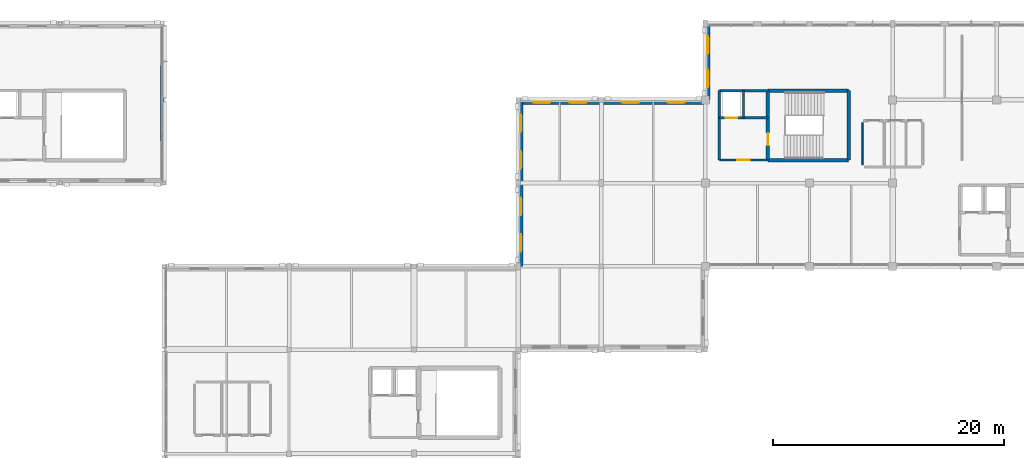
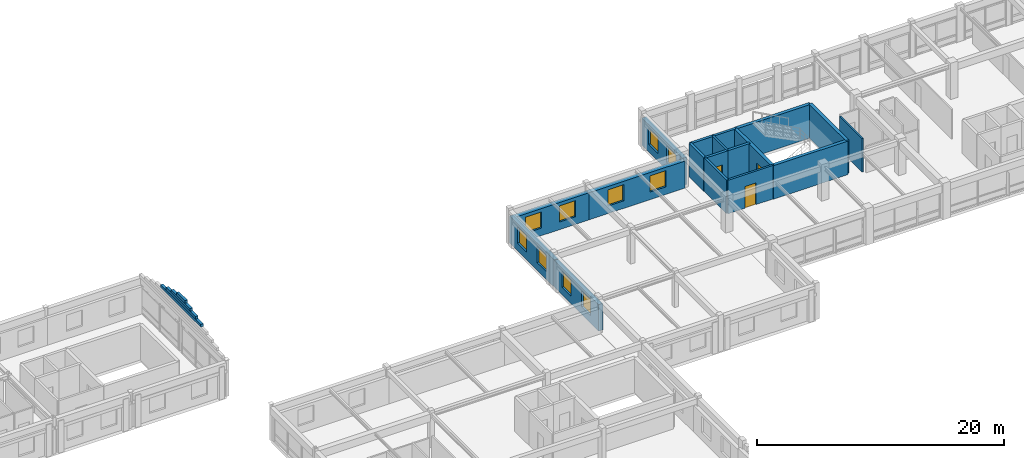
# One storey, part 43 of 52: 21 walls, 10 windows, 3 doors, 13 openings.
"""IFC4 building model written with IfcOpenShell, lengths in metres."""

from ifc_helpers import new_model, si_unit, direction, frame, frame_2d, origin, place, context, subcontext, project, spatial, rectangle, extrude, material, layer, layer_set, type_object, element, fill, save


model = new_model("IFC4")

# Units and contexts
model_context = context("Model", 3, precision=1e-05, world=origin(), true_north=direction((0.0, 1.0)))
body_context = subcontext(model_context, "Body", "Model", "MODEL_VIEW")
ifc_project = project(units=[si_unit("LENGTHUNIT", "METRE"), si_unit("AREAUNIT", "SQUARE_METRE"), si_unit("VOLUMEUNIT", "CUBIC_METRE"), si_unit("PLANEANGLEUNIT", "RADIAN"), si_unit("MASSUNIT", "GRAM", prefix="KILO")], contexts=[model_context])

# Site, building, storey
site_placement = place(None, origin())
site = spatial("IfcSite", under=ifc_project, at=site_placement, CompositionType="ELEMENT")
building_placement = place(site_placement, origin())
building = spatial("IfcBuilding", under=site, at=building_placement, Name="Clarverna Civic Hall", CompositionType="ELEMENT")
storey_placement = place(building_placement, frame((0.0, 0.0, 16.800048828125)))
storey = spatial("IfcBuildingStorey", under=building, at=storey_placement, Name="L04", CompositionType="ELEMENT", Elevation=16.800048828125)

# Wall, openings, windows
ifc_material_1 = material(Name="Montjuic Limestone Ashlar Cladding", Category="masonry")
ifc_layer_1 = layer(ifc_material_1, 0.39990234375)
ifc_layer_set_1 = layer_set([ifc_layer_1], Name="Montjuic Limestone Ashlar Cladding")
wall_type_1 = type_object("IfcWallType", Name="EW-02", PredefinedType="SOLIDWALL", material=ifc_layer_set_1)
wall_1_placement = place(storey_placement, frame((97.425048828125, 95.0, 0.0), z_axis=(0.0, 0.0, 1.0), x_axis=(0.0, 1.0, 0.0)))
wall_1 = element("IfcWall", 1, at=wall_1_placement, inside=storey, type_object=wall_type_1, Name="EW-02-218", PredefinedType="SOLIDWALL", context=body_context, shape_type="SweptSolid", body=[
    extrude(rectangle(XDim=7.199951171875, YDim=0.39990234375, at=frame_2d((3.60009765625, 0.0))), origin(), (0.0, 0.0, 1.0), 2.619873046875),
])
opening_1_placement = place(wall_1_placement, frame((1.26611328125, 0.0, 0.75)))
opening_1 = element("IfcOpeningElement", 2, at=opening_1_placement, cuts=wall_1, Name="Opening WN-14", PredefinedType="OPENING", context=body_context, shape_type="SweptSolid", body=[
    extrude(rectangle(XDim=1.5, YDim=1.60009765625, at=frame_2d((0.75, 0.800048828125))), frame((0.0, 0.2099609375, 0.0), z_axis=(0.0, -1.0, 0.0), x_axis=(1.0, 0.0, 0.0)), (0.0, 0.0, 1.0), 0.419921875),
])
opening_2_placement = place(wall_1_placement, frame((4.43408203125, 0.0, 0.75)))
opening_2 = element("IfcOpeningElement", 3, at=opening_2_placement, cuts=wall_1, Name="Opening WN-14", PredefinedType="OPENING", context=body_context, shape_type="SweptSolid", body=[
    extrude(rectangle(XDim=1.5, YDim=1.60009765625, at=frame_2d((0.75, 0.800048828125))), frame((0.0, 0.2099609375, 0.0), z_axis=(0.0, -1.0, 0.0), x_axis=(1.0, 0.0, 0.0)), (0.0, 0.0, 1.0), 0.419921875),
])
ifc_material_2 = material(Name="Solar-Control Argon Low-E Double Glazing", Category="glass")
window_type = type_object("IfcWindowType", Name="WN-14", PartitioningType="DOUBLE_PANEL_HORIZONTAL", PredefinedType="WINDOW", material=ifc_material_2)
window_1_placement = place(opening_1_placement, origin())
window_1 = element("IfcWindow", 4, at=window_1_placement, inside=storey, type_object=window_type, Name="WN-14-228", OverallHeight=1.60009765625, OverallWidth=1.5, PartitioningType="DOUBLE_PANEL_HORIZONTAL", PredefinedType="WINDOW", context=body_context, shape_type="SweptSolid", body=[
    extrude(rectangle(XDim=1.5, YDim=1.60009765625, at=frame_2d((0.75, 0.800048828125))), frame((0.0, 0.030029296875, 0.0), z_axis=(0.0, -1.0, 0.0), x_axis=(1.0, 0.0, 0.0)), (0.0, 0.0, 1.0), 0.06005859375),
])
fill(opening_1, window_1)
window_2_placement = place(opening_2_placement, origin())
window_2 = element("IfcWindow", 5, at=window_2_placement, inside=storey, type_object=window_type, Name="WN-14-229", OverallHeight=1.60009765625, OverallWidth=1.5, PartitioningType="DOUBLE_PANEL_HORIZONTAL", PredefinedType="WINDOW", context=body_context, shape_type="SweptSolid", body=[
    extrude(rectangle(XDim=1.5, YDim=1.60009765625, at=frame_2d((0.75, 0.800048828125))), frame((0.0, 0.030029296875, 0.0), z_axis=(0.0, -1.0, 0.0), x_axis=(1.0, 0.0, 0.0)), (0.0, 0.0, 1.0), 0.06005859375),
])
fill(opening_2, window_2)

wall_2_placement = place(storey_placement, frame((97.425048828125, 102.199951171875, 0.0), z_axis=(0.0, 0.0, 1.0), x_axis=(0.0, 1.0, 0.0)))
wall_2 = element("IfcWall", 6, at=wall_2_placement, inside=storey, type_object=wall_type_1, Name="EW-02-219", PredefinedType="SOLIDWALL", context=body_context, shape_type="SweptSolid", body=[
    extrude(rectangle(XDim=7.199951171875, YDim=0.39990234375, at=frame_2d((3.60009765625, 0.0))), origin(), (0.0, 0.0, 1.0), 2.679931640625),
])
opening_3_placement = place(wall_2_placement, frame((1.26611328125, 0.0, 0.75)))
opening_3 = element("IfcOpeningElement", 7, at=opening_3_placement, cuts=wall_2, Name="Opening WN-14", PredefinedType="OPENING", context=body_context, shape_type="SweptSolid", body=[
    extrude(rectangle(XDim=1.5, YDim=1.60009765625, at=frame_2d((0.75, 0.800048828125))), frame((0.0, 0.2099609375, 0.0), z_axis=(0.0, -1.0, 0.0), x_axis=(1.0, 0.0, 0.0)), (0.0, 0.0, 1.0), 0.419921875),
])
opening_4_placement = place(wall_2_placement, frame((4.43408203125, 0.0, 0.75)))
opening_4 = element("IfcOpeningElement", 8, at=opening_4_placement, cuts=wall_2, Name="Opening WN-14", PredefinedType="OPENING", context=body_context, shape_type="SweptSolid", body=[
    extrude(rectangle(XDim=1.5, YDim=1.60009765625, at=frame_2d((0.75, 0.800048828125))), frame((0.0, 0.2099609375, 0.0), z_axis=(0.0, -1.0, 0.0), x_axis=(1.0, 0.0, 0.0)), (0.0, 0.0, 1.0), 0.419921875),
])
window_3_placement = place(opening_3_placement, origin())
window_3 = element("IfcWindow", 9, at=window_3_placement, inside=storey, type_object=window_type, Name="WN-14-230", OverallHeight=1.60009765625, OverallWidth=1.5, PartitioningType="DOUBLE_PANEL_HORIZONTAL", PredefinedType="WINDOW", context=body_context, shape_type="SweptSolid", body=[
    extrude(rectangle(XDim=1.5, YDim=1.60009765625, at=frame_2d((0.75, 0.800048828125))), frame((0.0, 0.030029296875, 0.0), z_axis=(0.0, -1.0, 0.0), x_axis=(1.0, 0.0, 0.0)), (0.0, 0.0, 1.0), 0.06005859375),
])
fill(opening_3, window_3)
window_4_placement = place(opening_4_placement, origin())
window_4 = element("IfcWindow", 10, at=window_4_placement, inside=storey, type_object=window_type, Name="WN-14-231", OverallHeight=1.60009765625, OverallWidth=1.5, PartitioningType="DOUBLE_PANEL_HORIZONTAL", PredefinedType="WINDOW", context=body_context, shape_type="SweptSolid", body=[
    extrude(rectangle(XDim=1.5, YDim=1.60009765625, at=frame_2d((0.75, 0.800048828125))), frame((0.0, 0.030029296875, 0.0), z_axis=(0.0, -1.0, 0.0), x_axis=(1.0, 0.0, 0.0)), (0.0, 0.0, 1.0), 0.06005859375),
])
fill(opening_4, window_4)

wall_3_placement = place(storey_placement, frame((97.22509765625, 109.199951171875, 0.0), z_axis=(0.0, 0.0, 1.0), x_axis=(1.0, 0.0, 0.0)))
wall_3 = element("IfcWall", 11, at=wall_3_placement, inside=storey, type_object=wall_type_1, Name="EW-02-220", PredefinedType="SOLIDWALL", context=body_context, shape_type="SweptSolid", body=[
    extrude(rectangle(XDim=7.1748046875, YDim=0.39990234375, at=frame_2d((3.58740234375, 0.0))), origin(), (0.0, 0.0, 1.0), 2.679931640625),
])
opening_5_placement = place(wall_3_placement, frame((1.259033203125, 0.0, 0.75)))
opening_5 = element("IfcOpeningElement", 12, at=opening_5_placement, cuts=wall_3, Name="Opening WN-14", PredefinedType="OPENING", context=body_context, shape_type="SweptSolid", body=[
    extrude(rectangle(XDim=1.5, YDim=1.60009765625, at=frame_2d((0.75, 0.800048828125))), frame((0.0, 0.2099609375, 0.0), z_axis=(0.0, -1.0, 0.0), x_axis=(1.0, 0.0, 0.0)), (0.0, 0.0, 1.0), 0.419921875),
])
opening_6_placement = place(wall_3_placement, frame((4.416015625, 0.0, 0.75)))
opening_6 = element("IfcOpeningElement", 13, at=opening_6_placement, cuts=wall_3, Name="Opening WN-14", PredefinedType="OPENING", context=body_context, shape_type="SweptSolid", body=[
    extrude(rectangle(XDim=1.5, YDim=1.60009765625, at=frame_2d((0.75, 0.800048828125))), frame((0.0, 0.2099609375, 0.0), z_axis=(0.0, -1.0, 0.0), x_axis=(1.0, 0.0, 0.0)), (0.0, 0.0, 1.0), 0.419921875),
])
window_5_placement = place(opening_5_placement, origin())
window_5 = element("IfcWindow", 14, at=window_5_placement, inside=storey, type_object=window_type, Name="WN-14-232", OverallHeight=1.60009765625, OverallWidth=1.5, PartitioningType="DOUBLE_PANEL_HORIZONTAL", PredefinedType="WINDOW", context=body_context, shape_type="SweptSolid", body=[
    extrude(rectangle(XDim=1.5, YDim=1.60009765625, at=frame_2d((0.75, 0.800048828125))), frame((0.0, 0.030029296875, 0.0), z_axis=(0.0, -1.0, 0.0), x_axis=(1.0, 0.0, 0.0)), (0.0, 0.0, 1.0), 0.06005859375),
])
fill(opening_5, window_5)
window_6_placement = place(opening_6_placement, origin())
window_6 = element("IfcWindow", 15, at=window_6_placement, inside=storey, type_object=window_type, Name="WN-14-233", OverallHeight=1.60009765625, OverallWidth=1.5, PartitioningType="DOUBLE_PANEL_HORIZONTAL", PredefinedType="WINDOW", context=body_context, shape_type="SweptSolid", body=[
    extrude(rectangle(XDim=1.5, YDim=1.60009765625, at=frame_2d((0.75, 0.800048828125))), frame((0.0, 0.030029296875, 0.0), z_axis=(0.0, -1.0, 0.0), x_axis=(1.0, 0.0, 0.0)), (0.0, 0.0, 1.0), 0.06005859375),
])
fill(opening_6, window_6)

wall_4_placement = place(storey_placement, frame((104.39990234375, 109.199951171875, 0.0), z_axis=(0.0, 0.0, 1.0), x_axis=(1.0, 0.0, 0.0)))
wall_4 = element("IfcWall", 16, at=wall_4_placement, inside=storey, type_object=wall_type_1, Name="EW-02-221", PredefinedType="SOLIDWALL", context=body_context, shape_type="SweptSolid", body=[
    extrude(rectangle(XDim=9.0, YDim=0.39990234375, at=frame_2d((4.5, 0.0))), origin(), (0.0, 0.0, 1.0), 2.679931640625),
])
opening_7_placement = place(wall_4_placement, frame((1.77001953125, 0.0, 0.75)))
opening_7 = element("IfcOpeningElement", 17, at=opening_7_placement, cuts=wall_4, Name="Opening WN-14", PredefinedType="OPENING", context=body_context, shape_type="SweptSolid", body=[
    extrude(rectangle(XDim=1.5, YDim=1.60009765625, at=frame_2d((0.75, 0.800048828125))), frame((0.0, 0.2099609375, 0.0), z_axis=(0.0, -1.0, 0.0), x_axis=(1.0, 0.0, 0.0)), (0.0, 0.0, 1.0), 0.419921875),
])
opening_8_placement = place(wall_4_placement, frame((5.72998046875, 0.0, 0.75)))
opening_8 = element("IfcOpeningElement", 18, at=opening_8_placement, cuts=wall_4, Name="Opening WN-14", PredefinedType="OPENING", context=body_context, shape_type="SweptSolid", body=[
    extrude(rectangle(XDim=1.5, YDim=1.60009765625, at=frame_2d((0.75, 0.800048828125))), frame((0.0, 0.2099609375, 0.0), z_axis=(0.0, -1.0, 0.0), x_axis=(1.0, 0.0, 0.0)), (0.0, 0.0, 1.0), 0.419921875),
])
window_7_placement = place(opening_7_placement, origin())
window_7 = element("IfcWindow", 19, at=window_7_placement, inside=storey, type_object=window_type, Name="WN-14-234", OverallHeight=1.60009765625, OverallWidth=1.5, PartitioningType="DOUBLE_PANEL_HORIZONTAL", PredefinedType="WINDOW", context=body_context, shape_type="SweptSolid", body=[
    extrude(rectangle(XDim=1.5, YDim=1.60009765625, at=frame_2d((0.75, 0.800048828125))), frame((0.0, 0.030029296875, 0.0), z_axis=(0.0, -1.0, 0.0), x_axis=(1.0, 0.0, 0.0)), (0.0, 0.0, 1.0), 0.06005859375),
])
fill(opening_7, window_7)
window_8_placement = place(opening_8_placement, origin())
window_8 = element("IfcWindow", 20, at=window_8_placement, inside=storey, type_object=window_type, Name="WN-14-235", OverallHeight=1.60009765625, OverallWidth=1.5, PartitioningType="DOUBLE_PANEL_HORIZONTAL", PredefinedType="WINDOW", context=body_context, shape_type="SweptSolid", body=[
    extrude(rectangle(XDim=1.5, YDim=1.60009765625, at=frame_2d((0.75, 0.800048828125))), frame((0.0, 0.030029296875, 0.0), z_axis=(0.0, -1.0, 0.0), x_axis=(1.0, 0.0, 0.0)), (0.0, 0.0, 1.0), 0.06005859375),
])
fill(opening_8, window_8)

wall_5_placement = place(storey_placement, frame((113.60009765625, 109.39990234375, 0.0), z_axis=(0.0, 0.0, 1.0), x_axis=(0.0, 1.0, 0.0)))
wall_5 = element("IfcWall", 21, at=wall_5_placement, inside=storey, type_object=wall_type_1, Name="EW-02-222", PredefinedType="SOLIDWALL", context=body_context, shape_type="SweptSolid", body=[
    extrude(rectangle(XDim=6.60009765625, YDim=0.39990234375, at=frame_2d((3.300048828125, 0.0))), origin(), (0.0, 0.0, 1.0), 2.699951171875),
])
opening_9_placement = place(wall_5_placement, frame((1.097900390625, 0.0, 0.75)))
opening_9 = element("IfcOpeningElement", 22, at=opening_9_placement, cuts=wall_5, Name="Opening WN-14", PredefinedType="OPENING", context=body_context, shape_type="SweptSolid", body=[
    extrude(rectangle(XDim=1.5, YDim=1.60009765625, at=frame_2d((0.75, 0.800048828125))), frame((0.0, 0.2099609375, 0.0), z_axis=(0.0, -1.0, 0.0), x_axis=(1.0, 0.0, 0.0)), (0.0, 0.0, 1.0), 0.419921875),
])
opening_10_placement = place(wall_5_placement, frame((4.001953125, 0.0, 0.75)))
opening_10 = element("IfcOpeningElement", 23, at=opening_10_placement, cuts=wall_5, Name="Opening WN-14", PredefinedType="OPENING", context=body_context, shape_type="SweptSolid", body=[
    extrude(rectangle(XDim=1.5, YDim=1.60009765625, at=frame_2d((0.75, 0.800048828125))), frame((0.0, 0.2099609375, 0.0), z_axis=(0.0, -1.0, 0.0), x_axis=(1.0, 0.0, 0.0)), (0.0, 0.0, 1.0), 0.419921875),
])
window_9_placement = place(opening_9_placement, origin())
window_9 = element("IfcWindow", 24, at=window_9_placement, inside=storey, type_object=window_type, Name="WN-14-236", OverallHeight=1.60009765625, OverallWidth=1.5, PartitioningType="DOUBLE_PANEL_HORIZONTAL", PredefinedType="WINDOW", context=body_context, shape_type="SweptSolid", body=[
    extrude(rectangle(XDim=1.5, YDim=1.60009765625, at=frame_2d((0.75, 0.800048828125))), frame((0.0, 0.030029296875, 0.0), z_axis=(0.0, -1.0, 0.0), x_axis=(1.0, 0.0, 0.0)), (0.0, 0.0, 1.0), 0.06005859375),
])
fill(opening_9, window_9)
window_10_placement = place(opening_10_placement, origin())
window_10 = element("IfcWindow", 25, at=window_10_placement, inside=storey, type_object=window_type, Name="WN-14-237", OverallHeight=1.60009765625, OverallWidth=1.5, PartitioningType="DOUBLE_PANEL_HORIZONTAL", PredefinedType="WINDOW", context=body_context, shape_type="SweptSolid", body=[
    extrude(rectangle(XDim=1.5, YDim=1.60009765625, at=frame_2d((0.75, 0.800048828125))), frame((0.0, 0.030029296875, 0.0), z_axis=(0.0, -1.0, 0.0), x_axis=(1.0, 0.0, 0.0)), (0.0, 0.0, 1.0), 0.06005859375),
])
fill(opening_10, window_10)

# Walls
ifc_material_3 = material(Name="Precast concrete C40/50", Category="concrete")
ifc_layer_2 = layer(ifc_material_3, 0.239990234375)
ifc_layer_set_2 = layer_set([ifc_layer_2], Name="Precast concrete C40/50")
wall_type_2 = type_object("IfcWallType", Name="PR-01", PredefinedType="PARAPET", material=ifc_layer_set_2)
wall_6_placement = place(storey_placement, frame((66.39990234375, 105.84619140625, 4.65576171875), z_axis=(0.0, 0.0, 1.0), x_axis=(0.0, 1.0, 0.0)))
element("IfcWall", 26, at=wall_6_placement, inside=storey, type_object=wall_type_2, Name="PR-01-115", PredefinedType="PARAPET", context=body_context, shape_type="SweptSolid", body=[
    extrude(rectangle(XDim=6.507568359375, YDim=0.239990234375, at=frame_2d((3.25390625, 0.0))), origin(), (0.0, 0.0, 1.0), 0.263916015625),
])
wall_7_placement = place(storey_placement, frame((66.39990234375, 106.702392578125, 4.919677734375), z_axis=(0.0, 0.0, 1.0), x_axis=(0.0, 1.0, 0.0)))
element("IfcWall", 27, at=wall_7_placement, inside=storey, type_object=wall_type_2, Name="PR-01-116", PredefinedType="PARAPET", context=body_context, shape_type="SweptSolid", body=[
    extrude(rectangle(XDim=4.795166015625, YDim=0.239990234375, at=frame_2d((2.3974609375, 0.0))), origin(), (0.0, 0.0, 1.0), 0.263916015625),
])
wall_8_placement = place(storey_placement, frame((66.39990234375, 107.55859375, 5.18359375), z_axis=(0.0, 0.0, 1.0), x_axis=(0.0, 1.0, 0.0)))
element("IfcWall", 28, at=wall_8_placement, inside=storey, type_object=wall_type_2, Name="PR-01-117", PredefinedType="PARAPET", context=body_context, shape_type="SweptSolid", body=[
    extrude(rectangle(XDim=3.082763671875, YDim=0.239990234375, at=frame_2d((1.54150390625, 0.0))), origin(), (0.0, 0.0, 1.0), 0.263916015625),
])
wall_9_placement = place(storey_placement, frame((66.39990234375, 108.4150390625, 5.447509765625), z_axis=(0.0, 0.0, 1.0), x_axis=(0.0, 1.0, 0.0)))
element("IfcWall", 29, at=wall_9_placement, inside=storey, type_object=wall_type_2, Name="PR-01-118", PredefinedType="PARAPET", context=body_context, shape_type="SweptSolid", body=[
    extrude(rectangle(XDim=1.369873046875, YDim=0.239990234375, at=frame_2d((0.68505859375, 0.0))), origin(), (0.0, 0.0, 1.0), 0.263916015625),
])
ifc_material_4 = material(Name="Ceramic Brick and Plaster Wet-Room Partition", Category="masonry")
ifc_layer_3 = layer(ifc_material_4, 0.139892578125)
ifc_layer_set_3 = layer_set([ifc_layer_3], Name="Ceramic Brick and Plaster Wet-Room Partition")
wall_type_3 = type_object("IfcWallType", Name="PW-02", PredefinedType="PARTITIONING", material=ifc_layer_set_3)
wall_10_placement = place(storey_placement, frame((127.0, 103.780029296875, 0.0), z_axis=(0.0, 0.0, 1.0), x_axis=(0.0, 1.0, 0.0)))
element("IfcWall", 30, at=wall_10_placement, inside=storey, type_object=wall_type_3, Name="PW-02-042", PredefinedType="PARTITIONING", context=body_context, shape_type="SweptSolid", body=[
    extrude(rectangle(XDim=3.639892578125, YDim=0.139892578125, at=frame_2d((1.81982421875, 0.0))), origin(), (0.0, 0.0, 1.0), 3.320068359375),
])
ifc_material_5 = material(Name="Acoustic Gypsum Plasterboard on Twin Frame", Category="gypsum")
ifc_layer_4 = layer(ifc_material_5, 0.18994140625)
ifc_layer_set_4 = layer_set([ifc_layer_4], Name="Acoustic Gypsum Plasterboard on Twin Frame")
wall_type_4 = type_object("IfcWallType", Name="PW-06", PredefinedType="PARTITIONING", material=ifc_layer_set_4)
wall_11_placement = place(storey_placement, frame((114.60009765625, 104.199951171875, 0.0), z_axis=(0.0, 0.0, 1.0), x_axis=(0.0, 1.0, 0.0)))
element("IfcWall", 31, at=wall_11_placement, inside=storey, type_object=wall_type_4, Name="PW-06-099", PredefinedType="PARTITIONING", context=body_context, shape_type="SweptSolid", body=[
    extrude(rectangle(XDim=3.650146484375, YDim=0.18994140625, at=frame_2d((1.8251953125, 0.0))), origin(), (0.0, 0.0, 1.0), 3.320068359375),
])

# Wall, opening, door
wall_12_placement = place(storey_placement, frame((114.60009765625, 104.199951171875, 0.0), z_axis=(0.0, 0.0, 1.0), x_axis=(1.0, 0.0, 0.0)))
wall_12 = element("IfcWall", 32, at=wall_12_placement, inside=storey, type_object=wall_type_4, Name="PW-06-100", PredefinedType="PARTITIONING", context=body_context, shape_type="SweptSolid", body=[
    extrude(rectangle(XDim=4.199951171875, YDim=0.18994140625, at=frame_2d((2.10009765625, 0.0))), origin(), (0.0, 0.0, 1.0), 3.320068359375),
])
opening_11_placement = place(wall_12_placement, frame((1.574951171875, 0.0, 0.0)))
opening_11 = element("IfcOpeningElement", 33, at=opening_11_placement, cuts=wall_12, Name="Opening FD-02", PredefinedType="OPENING", context=body_context, shape_type="SweptSolid", body=[
    extrude(rectangle(XDim=1.050048828125, YDim=2.14990234375, at=frame_2d((0.52490234375, 1.074951171875))), frame((0.0, 0.10498046875, 0.0), z_axis=(0.0, -1.0, 0.0), x_axis=(1.0, 0.0, 0.0)), (0.0, 0.0, 1.0), 0.2099609375),
])
ifc_material_6 = material(Name="Acoustic Timber-Faced Fire Door", Category="wood")
door_type_1 = type_object("IfcDoorType", Name="FD-02", OperationType="NOTDEFINED", PredefinedType="DOOR", material=ifc_material_6)
door_1_placement = place(opening_11_placement, origin())
door_1 = element("IfcDoor", 34, at=door_1_placement, inside=storey, type_object=door_type_1, Name="FD-02-092", OperationType="SINGLE_SWING_RIGHT", OverallHeight=2.14990234375, OverallWidth=1.050048828125, PredefinedType="DOOR", context=body_context, shape_type="SweptSolid", body=[
    extrude(rectangle(XDim=1.050048828125, YDim=2.14990234375, at=frame_2d((0.52490234375, 1.074951171875))), frame((0.0, 0.02490234375, 0.0), z_axis=(0.0, -1.0, 0.0), x_axis=(1.0, 0.0, 0.0)), (0.0, 0.0, 1.0), 0.050048828125),
])
fill(opening_11, door_1)

ifc_material_7 = material(Name="Concrete C35/45", Category="concrete")
ifc_layer_5 = layer(ifc_material_7, 0.300048828125)
ifc_layer_set_5 = layer_set([ifc_layer_5], Name="Concrete C35/45")
wall_type_5 = type_object("IfcWallType", Name="SW-03", PredefinedType="SHEAR", material=ifc_layer_set_5)
wall_13_placement = place(storey_placement, frame((118.800048828125, 104.199951171875, 0.0), z_axis=(0.0, 0.0, 1.0), x_axis=(0.0, 1.0, 0.0)))
wall_13 = element("IfcWall", 35, at=wall_13_placement, inside=storey, type_object=wall_type_5, Name="SW-03-190", PredefinedType="SHEAR", context=body_context, shape_type="SweptSolid", body=[
    extrude(rectangle(XDim=6.0, YDim=0.300048828125, at=frame_2d((3.0, 0.0))), origin(), (0.0, 0.0, 1.0), 3.320068359375),
])
opening_12_placement = place(wall_13_placement, frame((1.27490234375, 0.0, 0.0)))
opening_12 = element("IfcOpeningElement", 36, at=opening_12_placement, cuts=wall_13, Name="Opening FD-02", PredefinedType="OPENING", context=body_context, shape_type="SweptSolid", body=[
    extrude(rectangle(XDim=1.050048828125, YDim=2.14990234375, at=frame_2d((0.52490234375, 1.074951171875))), frame((0.0, 0.159912109375, 0.0), z_axis=(0.0, -1.0, 0.0), x_axis=(1.0, 0.0, 0.0)), (0.0, 0.0, 1.0), 0.320068359375),
])
door_2_placement = place(opening_12_placement, origin())
door_2 = element("IfcDoor", 37, at=door_2_placement, inside=storey, type_object=door_type_1, Name="FD-02-091", OperationType="SINGLE_SWING_LEFT", OverallHeight=2.14990234375, OverallWidth=1.050048828125, PredefinedType="DOOR", context=body_context, shape_type="SweptSolid", body=[
    extrude(rectangle(XDim=1.050048828125, YDim=2.14990234375, at=frame_2d((0.52490234375, 1.074951171875))), frame((0.0, 0.02490234375, 0.0), z_axis=(0.0, -1.0, 0.0), x_axis=(1.0, 0.0, 0.0)), (0.0, 0.0, 1.0), 0.050048828125),
])
fill(opening_12, door_2)

# Walls
wall_14_placement = place(storey_placement, frame((125.800048828125, 104.199951171875, 0.0), z_axis=(0.0, 0.0, 1.0), x_axis=(0.0, 1.0, 0.0)))
element("IfcWall", 38, at=wall_14_placement, inside=storey, type_object=wall_type_5, Name="SW-03-191", PredefinedType="SHEAR", context=body_context, shape_type="SweptSolid", body=[
    extrude(rectangle(XDim=6.0, YDim=0.300048828125, at=frame_2d((3.0, 0.0))), origin(), (0.0, 0.0, 1.0), 3.320068359375),
])
for number, where, z_axis, x_axis, name in (
    (39, (118.800048828125, 104.199951171875, 0.0), (0.0, 0.0, 1.0), (1.0, 0.0, 0.0), "SW-03-192"),
    (40, (118.800048828125, 110.199951171875, 0.0), (0.0, 0.0, 1.0), (1.0, 0.0, 0.0), "SW-03-193"),
):
    element("IfcWall", number, at=place(storey_placement, frame(where, z_axis=z_axis, x_axis=x_axis)), inside=storey, type_object=wall_type_5, Name=name, PredefinedType="SHEAR", context=body_context, shape_type="SweptSolid", body=[
        extrude(rectangle(XDim=7.0, YDim=0.300048828125, at=frame_2d((3.5, 0.0))), origin(), (0.0, 0.0, 1.0), 3.320068359375),
    ])
wall_15_placement = place(storey_placement, frame((114.60009765625, 110.199951171875, 0.0), z_axis=(0.0, 0.0, 1.0), x_axis=(1.0, 0.0, 0.0)))
element("IfcWall", 41, at=wall_15_placement, inside=storey, type_object=wall_type_5, Name="SW-03-194", PredefinedType="SHEAR", context=body_context, shape_type="SweptSolid", body=[
    extrude(rectangle(XDim=4.199951171875, YDim=0.239990234375, at=frame_2d((2.10009765625, 0.0))), origin(), (0.0, 0.0, 1.0), 3.320068359375),
])
wall_16_placement = place(storey_placement, frame((114.60009765625, 107.85009765625, 0.0), z_axis=(0.0, 0.0, 1.0), x_axis=(0.0, 1.0, 0.0)))
element("IfcWall", 42, at=wall_16_placement, inside=storey, type_object=wall_type_5, Name="SW-03-195", PredefinedType="SHEAR", context=body_context, shape_type="SweptSolid", body=[
    extrude(rectangle(XDim=2.349853515625, YDim=0.239990234375, at=frame_2d((1.1748046875, 0.0))), origin(), (0.0, 0.0, 1.0), 3.320068359375),
])
wall_17_placement = place(storey_placement, frame((116.699951171875, 107.85009765625, 0.0), z_axis=(0.0, 0.0, 1.0), x_axis=(0.0, 1.0, 0.0)))
element("IfcWall", 43, at=wall_17_placement, inside=storey, type_object=wall_type_5, Name="SW-03-196", PredefinedType="SHEAR", context=body_context, shape_type="SweptSolid", body=[
    extrude(rectangle(XDim=2.349853515625, YDim=0.199951171875, at=frame_2d((1.1748046875, 0.0))), origin(), (0.0, 0.0, 1.0), 3.320068359375),
])

# Wall, opening, door
wall_18_placement = place(storey_placement, frame((114.60009765625, 107.85009765625, 0.0), z_axis=(0.0, 0.0, 1.0), x_axis=(1.0, 0.0, 0.0)))
wall_18 = element("IfcWall", 44, at=wall_18_placement, inside=storey, type_object=wall_type_5, Name="SW-03-197", PredefinedType="SHEAR", context=body_context, shape_type="SweptSolid", body=[
    extrude(rectangle(XDim=2.099853515625, YDim=0.239990234375, at=frame_2d((1.0498046875, 0.0))), origin(), (0.0, 0.0, 1.0), 3.320068359375),
])
opening_13_placement = place(wall_18_placement, frame((0.550048828125, 0.0, 0.0)))
opening_13 = element("IfcOpeningElement", 45, at=opening_13_placement, cuts=wall_18, Name="Opening LD-01", PredefinedType="OPENING", context=body_context, shape_type="SweptSolid", body=[
    extrude(rectangle(XDim=1.0, YDim=2.10009765625, at=frame_2d((0.5, 1.050048828125))), frame((0.0, 0.1298828125, 0.0), z_axis=(0.0, -1.0, 0.0), x_axis=(1.0, 0.0, 0.0)), (0.0, 0.0, 1.0), 0.260009765625),
])
ifc_material_8 = material(Name="Brushed Bronze Stainless Lift Landing Door")
door_type_2 = type_object("IfcDoorType", Name="LD-01", OperationType="SLIDING_TO_LEFT", PredefinedType="DOOR", material=ifc_material_8)
door_3_placement = place(opening_13_placement, origin())
door_3 = element("IfcDoor", 46, at=door_3_placement, inside=storey, type_object=door_type_2, Name="LD-01-069", OperationType="SLIDING_TO_LEFT", OverallHeight=2.10009765625, OverallWidth=1.0, PredefinedType="DOOR", context=body_context, shape_type="SweptSolid", body=[
    extrude(rectangle(XDim=1.0, YDim=2.10009765625, at=frame_2d((0.5, 1.050048828125))), frame((0.0, 0.02490234375, 0.0), z_axis=(0.0, -1.0, 0.0), x_axis=(1.0, 0.0, 0.0)), (0.0, 0.0, 1.0), 0.050048828125),
])
fill(opening_13, door_3)

# Wall
wall_19_placement = place(storey_placement, frame((116.699951171875, 107.85009765625, 0.0), z_axis=(0.0, 0.0, 1.0), x_axis=(1.0, 0.0, 0.0)))
element("IfcWall", 47, at=wall_19_placement, inside=storey, type_object=wall_type_5, Name="SW-03-198", PredefinedType="SHEAR", context=body_context, shape_type="SweptSolid", body=[
    extrude(rectangle(XDim=2.10009765625, YDim=0.239990234375, at=frame_2d((1.050048828125, 0.0))), origin(), (0.0, 0.0, 1.0), 3.320068359375),
])

save(model, "model.ifc")
